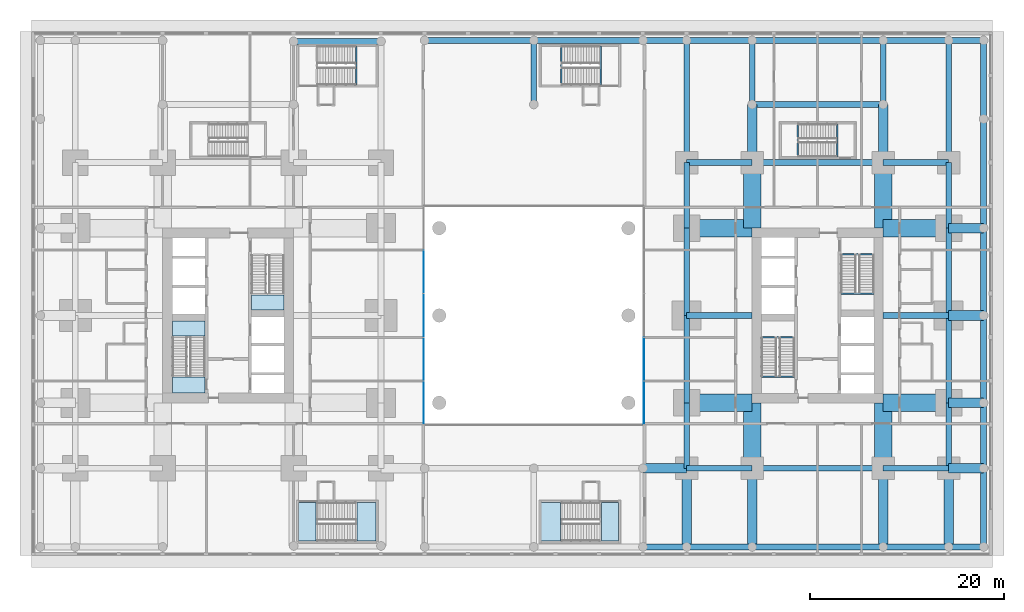
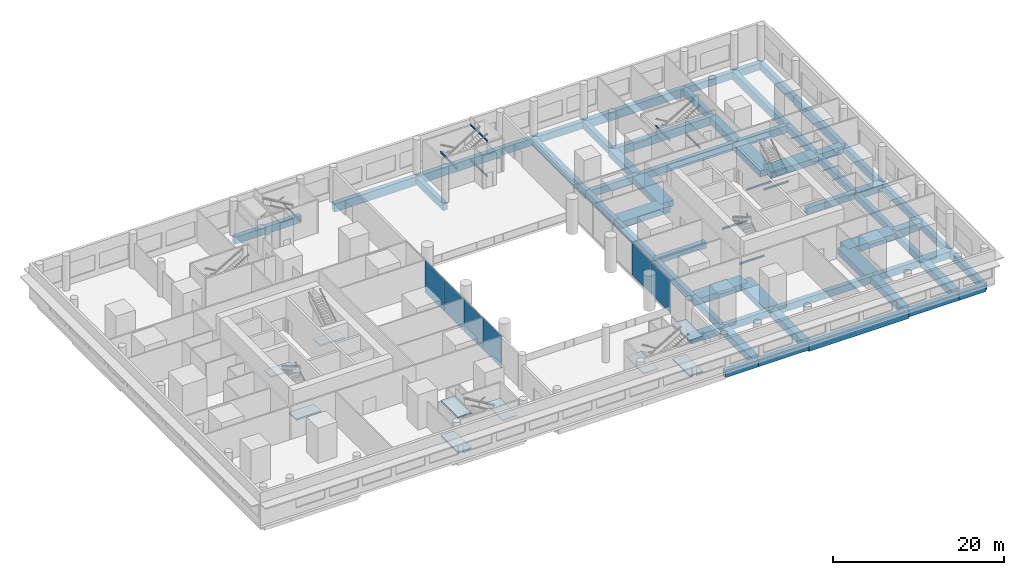
# One storey, part 8 of 22: 70 beams, 9 slabs, 6 plates, 6 elements without a shape of their own.
"""IFC4 building model written with IfcOpenShell, lengths in metres."""

from ifc_helpers import new_model, si_unit, direction, frame, origin, origin_2d, place, context, subcontext, project, spatial, polyline, rectangle, i_section, outline, extrude, material, layer, layer_set, material_profile, profile_set, type_object, element, aggregate, save


model = new_model("IFC4")

# Units and contexts
model_context = context("Model", 3, precision=1e-05, world=origin(), true_north=direction((0.0, 1.0)))
body_context = subcontext(model_context, "Body", "Model", "MODEL_VIEW")
ifc_project = project(units=[si_unit("LENGTHUNIT", "METRE"), si_unit("AREAUNIT", "SQUARE_METRE"), si_unit("VOLUMEUNIT", "CUBIC_METRE"), si_unit("PLANEANGLEUNIT", "RADIAN"), si_unit("MASSUNIT", "GRAM", prefix="KILO")], contexts=[model_context])

# Site, building, storey
site_placement = place(None, origin())
site = spatial("IfcSite", under=ifc_project, at=site_placement, CompositionType="ELEMENT")
building_placement = place(site_placement, origin())
building = spatial("IfcBuilding", under=site, at=building_placement, Name="Namib Vertical Campus", CompositionType="ELEMENT")
storey_placement = place(building_placement, frame((0.0, 0.0, 11.0)))
storey = spatial("IfcBuildingStorey", under=building, at=storey_placement, Name="L02", CompositionType="ELEMENT", Elevation=11.0)

# Beams
ifc_material_1 = material(Name="Concrete C40/50", Category="concrete")
ifc_material_profile_1 = material_profile(ifc_material_1, rectangle(XDim=0.60009765625, YDim=0.89990234375, at=origin_2d()))
ifc_profile_set_1 = profile_set([ifc_material_profile_1], Name="Concrete C40/50")
beam_type_1 = type_object("IfcBeamType", Name="Floor girder RC 600x900", PredefinedType="BEAM", material=ifc_profile_set_1)
for number, where, z_axis, x_axis, name in (
    (1, (67.5, 20.25, -0.75), (1.0, 0.0, 0.0), (0.0, 1.0, 0.0), "Beam B2 L02"),
    (2, (94.5, 20.25, -0.75), (-1.0, 0.0, 0.0), (0.0, -1.0, 0.0), "Beam B2 L02"),
):
    element("IfcBeam", number, at=place(storey_placement, frame(where, z_axis=z_axis, x_axis=x_axis)), inside=storey, type_object=beam_type_1, Name=name, PredefinedType="BEAM", context=body_context, shape_type="SweptSolid", body=[
        extrude(rectangle(XDim=0.60009765625, YDim=0.89990234375, at=origin_2d()), origin(), (0.0, 0.0, 1.0), 6.75),
    ])
ifc_material_2 = material(Name="Steel S355JR", Category="steel")
ifc_material_profile_2 = material_profile(ifc_material_2, i_section(OverallWidth=0.14599609375, OverallDepth=0.25146484375, WebThickness=0.006103515625, FlangeThickness=0.008544921875, FilletRadius=0.007568359375, at=origin_2d()))
ifc_profile_set_2 = profile_set([ifc_material_profile_2], Name="Steel S355JR")
beam_type_2 = type_object("IfcBeamType", Name="Landing trimmer UB 254x146x31", PredefinedType="BEAM", material=ifc_profile_set_2)
for number, where, z_axis, x_axis, name in (
    (3, (75.199951171875, 13.927001953125, -0.125732421875), (1.0, 0.0, 0.0), (0.0, 1.0, 0.0), "Landing trimmer LT1 B-S1 L02 1"),
    (4, (75.199951171875, 17.9931640625, 2.374267578125), (1.0, 0.0, 0.0), (0.0, 1.0, 0.0), "Landing trimmer LT1 B-S1 L02 2"),
    (5, (83.39990234375, 26.572998046875, -0.125732421875), (1.0, 0.0, 0.0), (0.0, 1.0, 0.0), "Landing trimmer LT1 B-S2 L02 1"),
    (6, (83.39990234375, 22.5068359375, 2.374267578125), (1.0, 0.0, 0.0), (0.0, 1.0, 0.0), "Landing trimmer LT1 B-S2 L02 2"),
):
    element("IfcBeam", number, at=place(storey_placement, frame(where, z_axis=z_axis, x_axis=x_axis)), inside=storey, type_object=beam_type_2, Name=name, PredefinedType="BEAM", context=body_context, shape_type="SweptSolid", body=[
        extrude(i_section(OverallWidth=0.14599609375, OverallDepth=0.25146484375, WebThickness=0.006103515625, FlangeThickness=0.008544921875, FilletRadius=0.007568359375, at=origin_2d()), origin(), (0.0, 0.0, 1.0), 3.400146484375),
    ])
for number, where, z_axis, x_axis, name in (
    (7, (33.439208984375, 44.0, 2.374267578125), (0.0, 1.0, 0.0), (-1.0, 0.0, 0.0), "Landing trimmer LT1 P-S1 L02 2"),
    (8, (58.626953125, 44.0, -0.125732421875), (0.0, 1.0, 0.0), (-1.0, 0.0, 0.0), "Landing trimmer LT1 P-S3 L02 1"),
    (9, (54.560791015625, 44.0, 2.374267578125), (0.0, 1.0, 0.0), (-1.0, 0.0, 0.0), "Landing trimmer LT1 P-S3 L02 2"),
    (10, (58.626953125, 44.0, 4.874267578125), (0.0, 1.0, 0.0), (-1.0, 0.0, 0.0), "Landing trimmer LT1 P-S3 L02 3"),
):
    element("IfcBeam", number, at=place(storey_placement, frame(where, z_axis=z_axis, x_axis=x_axis)), inside=storey, type_object=beam_type_2, Name=name, PredefinedType="BEAM", context=body_context, shape_type="SweptSolid", body=[
        extrude(i_section(OverallWidth=0.14599609375, OverallDepth=0.25146484375, WebThickness=0.006103515625, FlangeThickness=0.008544921875, FilletRadius=0.007568359375, at=origin_2d()), origin(), (0.0, 0.0, 1.0), 4.0),
    ])
for number, where, z_axis, x_axis, name in (
    (11, (83.02294921875, 36.60009765625, -0.125732421875), (0.0, 1.0, 0.0), (-1.0, 0.0, 0.0), "Landing trimmer LT1 B-S3 L02 1"),
    (12, (78.95703125, 36.60009765625, 2.374267578125), (0.0, 1.0, 0.0), (-1.0, 0.0, 0.0), "Landing trimmer LT1 B-S3 L02 2"),
):
    element("IfcBeam", number, at=place(storey_placement, frame(where, z_axis=z_axis, x_axis=x_axis)), inside=storey, type_object=beam_type_2, Name=name, PredefinedType="BEAM", context=body_context, shape_type="SweptSolid", body=[
        extrude(i_section(OverallWidth=0.14599609375, OverallDepth=0.25146484375, WebThickness=0.006103515625, FlangeThickness=0.008544921875, FilletRadius=0.007568359375, at=origin_2d()), origin(), (0.0, 0.0, 1.0), 3.39990234375),
    ])
ifc_material_3 = material(Name="Concrete C40/50", Category="concrete")
ifc_material_profile_3 = material_profile(ifc_material_3, rectangle(XDim=0.60009765625, YDim=1.199951171875, at=origin_2d()))
ifc_profile_set_3 = profile_set([ifc_material_profile_3], Name="Concrete C40/50")
beam_type_3 = type_object("IfcBeamType", Name="Long-span podium beam RC 600x1200", PredefinedType="BEAM", material=ifc_profile_set_3)
for number, where, z_axis, x_axis, name in (
    (13, (67.5, 36.0, -0.89990234375), (0.0, 1.0, 0.0), (-1.0, 0.0, 0.0), "Beam PB4 L02"),
    (14, (94.5, 36.0, -0.89990234375), (0.0, 1.0, 0.0), (-1.0, 0.0, 0.0), "Beam PB4 L02"),
):
    element("IfcBeam", number, at=place(storey_placement, frame(where, z_axis=z_axis, x_axis=x_axis)), inside=storey, type_object=beam_type_3, Name=name, PredefinedType="BEAM", context=body_context, shape_type="SweptSolid", body=[
        extrude(rectangle(XDim=0.60009765625, YDim=1.199951171875, at=origin_2d()), origin(), (0.0, 0.0, 1.0), 12.60009765625),
    ])
beam_1_placement = place(storey_placement, frame((98.10009765625, 29.25, -0.89990234375), z_axis=(0.0, 1.0, 0.0), x_axis=(-1.0, 0.0, 0.0)))
element("IfcBeam", 15, at=beam_1_placement, inside=storey, type_object=beam_type_3, Name="Beam PB4 L02", PredefinedType="BEAM", context=body_context, shape_type="SweptSolid", body=[
    extrude(rectangle(XDim=0.60009765625, YDim=1.199951171875, at=origin_2d()), origin(), (0.0, 0.0, 1.0), 11.25),
])
for number, where, z_axis, x_axis, name in (
    (16, (74.25, -3.60009765625, -0.89990234375), (1.0, 0.0, 0.0), (0.0, 1.0, 0.0), "Beam PB4 L02"),
    (17, (74.25, 42.0, -0.89990234375), (1.0, 0.0, 0.0), (0.0, 1.0, 0.0), "Beam PB4 L02"),
):
    element("IfcBeam", number, at=place(storey_placement, frame(where, z_axis=z_axis, x_axis=x_axis)), inside=storey, type_object=beam_type_3, Name=name, PredefinedType="BEAM", context=body_context, shape_type="SweptSolid", body=[
        extrude(rectangle(XDim=0.60009765625, YDim=1.199951171875, at=origin_2d()), origin(), (0.0, 0.0, 1.0), 13.5),
    ])
for number, where, z_axis, x_axis, name in (
    (18, (40.5, 48.60009765625, -0.89990234375), (1.0, 0.0, 0.0), (0.0, 1.0, 0.0), "Beam PB4 L02"),
    (19, (51.75, 48.60009765625, -0.89990234375), (1.0, 0.0, 0.0), (0.0, 1.0, 0.0), "Beam PB4 L02"),
):
    element("IfcBeam", number, at=place(storey_placement, frame(where, z_axis=z_axis, x_axis=x_axis)), inside=storey, type_object=beam_type_3, Name=name, PredefinedType="BEAM", context=body_context, shape_type="SweptSolid", body=[
        extrude(rectangle(XDim=0.60009765625, YDim=1.199951171875, at=origin_2d()), origin(), (0.0, 0.0, 1.0), 11.25),
    ])
beam_2_placement = place(storey_placement, frame((74.25, 48.60009765625, -0.89990234375), z_axis=(1.0, 0.0, 0.0), x_axis=(0.0, 1.0, 0.0)))
element("IfcBeam", 20, at=beam_2_placement, inside=storey, type_object=beam_type_3, Name="Beam PB4 L02", PredefinedType="BEAM", context=body_context, shape_type="SweptSolid", body=[
    extrude(rectangle(XDim=0.60009765625, YDim=1.199951171875, at=origin_2d()), origin(), (0.0, 0.0, 1.0), 13.5),
])
ifc_material_4 = material(Name="Concrete C40/50", Category="concrete")
ifc_material_profile_4 = material_profile(ifc_material_4, rectangle(XDim=1.800048828125, YDim=0.89990234375, at=origin_2d()))
ifc_profile_set_4 = profile_set([ifc_material_profile_4], Name="Concrete C40/50")
beam_type_4 = type_object("IfcBeamType", Name="Outrigger line girder RC 1800x900", PredefinedType="BEAM", material=ifc_profile_set_4)
for number, where, z_axis, x_axis, name in (
    (21, (74.25, 4.5, -0.75), (0.0, 1.0, 0.0), (-1.0, 0.0, 0.0), "Beam B12 L02"),
    (22, (74.25, 36.0, -0.75), (0.0, -1.0, 0.0), (1.0, 0.0, 0.0), "Beam B12 L02"),
    (23, (87.75, 4.5, -0.75), (0.0, 1.0, 0.0), (-1.0, 0.0, 0.0), "Beam B12 L02"),
    (24, (87.75, 36.0, -0.75), (0.0, -1.0, 0.0), (1.0, 0.0, 0.0), "Beam B12 L02"),
    (25, (67.5, 11.25, -0.75), (1.0, 0.0, 0.0), (0.0, 1.0, 0.0), "Beam B12 L02"),
    (26, (94.5, 11.25, -0.75), (-1.0, 0.0, 0.0), (0.0, -1.0, 0.0), "Beam B12 L02"),
    (27, (67.5, 29.25, -0.75), (1.0, 0.0, 0.0), (0.0, 1.0, 0.0), "Beam B12 L02"),
    (28, (94.5, 29.25, -0.75), (-1.0, 0.0, 0.0), (0.0, -1.0, 0.0), "Beam B12 L02"),
):
    element("IfcBeam", number, at=place(storey_placement, frame(where, z_axis=z_axis, x_axis=x_axis)), inside=storey, type_object=beam_type_4, Name=name, PredefinedType="BEAM", context=body_context, shape_type="SweptSolid", body=[
        extrude(rectangle(XDim=1.800048828125, YDim=0.89990234375, at=origin_2d()), origin(), (0.0, 0.0, 1.0), 6.75),
    ])
ifc_material_5 = material(Name="Concrete C40/50", Category="concrete")
ifc_material_profile_5 = material_profile(ifc_material_5, rectangle(XDim=0.60009765625, YDim=1.0, at=origin_2d()))
ifc_profile_set_5 = profile_set([ifc_material_profile_5], Name="Concrete C40/50")
beam_type_5 = type_object("IfcBeamType", Name="Podium beam RC 600x1000", PredefinedType="BEAM", material=ifc_profile_set_5)
for number, where, z_axis, x_axis, name in (
    (29, (51.75, 42.0, -0.800048828125), (0.0, 1.0, 0.0), (-1.0, 0.0, 0.0), "Beam PB1 L02"),
    (30, (74.25, 42.0, -0.800048828125), (0.0, 1.0, 0.0), (-1.0, 0.0, 0.0), "Beam PB1 L02"),
    (31, (87.75, 42.0, -0.800048828125), (0.0, 1.0, 0.0), (-1.0, 0.0, 0.0), "Beam PB1 L02"),
):
    element("IfcBeam", number, at=place(storey_placement, frame(where, z_axis=z_axis, x_axis=x_axis)), inside=storey, type_object=beam_type_5, Name=name, PredefinedType="BEAM", context=body_context, shape_type="SweptSolid", body=[
        extrude(rectangle(XDim=0.60009765625, YDim=1.0, at=origin_2d()), origin(), (0.0, 0.0, 1.0), 6.60009765625),
    ])
beam_3_placement = place(storey_placement, frame((98.10009765625, -3.60009765625, -0.800048828125), z_axis=(0.0, 1.0, 0.0), x_axis=(-1.0, 0.0, 0.0)))
element("IfcBeam", 32, at=beam_3_placement, inside=storey, type_object=beam_type_5, Name="Beam PB1 L02", PredefinedType="BEAM", context=body_context, shape_type="SweptSolid", body=[
    extrude(rectangle(XDim=0.60009765625, YDim=1.0, at=origin_2d()), origin(), (0.0, 0.0, 1.0), 8.10009765625),
])
beam_4_placement = place(storey_placement, frame((98.10009765625, 4.5, -0.800048828125), z_axis=(0.0, 1.0, 0.0), x_axis=(-1.0, 0.0, 0.0)))
element("IfcBeam", 33, at=beam_4_placement, inside=storey, type_object=beam_type_5, Name="Beam PB1 L02", PredefinedType="BEAM", context=body_context, shape_type="SweptSolid", body=[
    extrude(rectangle(XDim=0.60009765625, YDim=1.0, at=origin_2d()), origin(), (0.0, 0.0, 1.0), 6.75),
])
for number, where, z_axis, x_axis, name in (
    (34, (98.10009765625, 11.25, -0.800048828125), (0.0, 1.0, 0.0), (-1.0, 0.0, 0.0), "Beam PB1 L02"),
    (35, (98.10009765625, 20.25, -0.800048828125), (0.0, 1.0, 0.0), (-1.0, 0.0, 0.0), "Beam PB1 L02"),
):
    element("IfcBeam", number, at=place(storey_placement, frame(where, z_axis=z_axis, x_axis=x_axis)), inside=storey, type_object=beam_type_5, Name=name, PredefinedType="BEAM", context=body_context, shape_type="SweptSolid", body=[
        extrude(rectangle(XDim=0.60009765625, YDim=1.0, at=origin_2d()), origin(), (0.0, 0.0, 1.0), 9.0),
    ])
beam_5_placement = place(storey_placement, frame((98.10009765625, 40.5, -0.800048828125), z_axis=(0.0, 1.0, 0.0), x_axis=(-1.0, 0.0, 0.0)))
element("IfcBeam", 36, at=beam_5_placement, inside=storey, type_object=beam_type_5, Name="Beam PB1 L02", PredefinedType="BEAM", context=body_context, shape_type="SweptSolid", body=[
    extrude(rectangle(XDim=0.60009765625, YDim=1.0, at=origin_2d()), origin(), (0.0, 0.0, 1.0), 8.10009765625),
])
beam_6_placement = place(storey_placement, frame((63.0, -3.60009765625, -0.800048828125), z_axis=(1.0, 0.0, 0.0), x_axis=(0.0, 1.0, 0.0)))
element("IfcBeam", 37, at=beam_6_placement, inside=storey, type_object=beam_type_5, Name="Beam PB1 L02", PredefinedType="BEAM", context=body_context, shape_type="SweptSolid", body=[
    extrude(rectangle(XDim=0.60009765625, YDim=1.0, at=origin_2d()), origin(), (0.0, 0.0, 1.0), 4.5),
])
for number, where, z_axis, x_axis, name in (
    (38, (67.5, -3.60009765625, -0.800048828125), (1.0, 0.0, 0.0), (0.0, 1.0, 0.0), "Beam PB1 L02"),
    (39, (87.75, -3.60009765625, -0.800048828125), (1.0, 0.0, 0.0), (0.0, 1.0, 0.0), "Beam PB1 L02"),
):
    element("IfcBeam", number, at=place(storey_placement, frame(where, z_axis=z_axis, x_axis=x_axis)), inside=storey, type_object=beam_type_5, Name=name, PredefinedType="BEAM", context=body_context, shape_type="SweptSolid", body=[
        extrude(rectangle(XDim=0.60009765625, YDim=1.0, at=origin_2d()), origin(), (0.0, 0.0, 1.0), 6.75),
    ])
beam_7_placement = place(storey_placement, frame((94.5, -3.60009765625, -0.800048828125), z_axis=(1.0, 0.0, 0.0), x_axis=(0.0, 1.0, 0.0)))
element("IfcBeam", 40, at=beam_7_placement, inside=storey, type_object=beam_type_5, Name="Beam PB1 L02", PredefinedType="BEAM", context=body_context, shape_type="SweptSolid", body=[
    extrude(rectangle(XDim=0.60009765625, YDim=1.0, at=origin_2d()), origin(), (0.0, 0.0, 1.0), 3.60009765625),
])
beam_8_placement = place(storey_placement, frame((27.0, 48.5, -0.800048828125), z_axis=(1.0, 0.0, 0.0), x_axis=(0.0, 1.0, 0.0)))
element("IfcBeam", 41, at=beam_8_placement, inside=storey, type_object=beam_type_5, Name="Beam PB1 L02", PredefinedType="BEAM", context=body_context, shape_type="SweptSolid", body=[
    extrude(rectangle(XDim=0.60009765625, YDim=1.0, at=origin_2d()), origin(), (0.0, 0.0, 1.0), 9.0),
])
beam_9_placement = place(storey_placement, frame((63.0, 48.60009765625, -0.800048828125), z_axis=(1.0, 0.0, 0.0), x_axis=(0.0, 1.0, 0.0)))
element("IfcBeam", 42, at=beam_9_placement, inside=storey, type_object=beam_type_5, Name="Beam PB1 L02", PredefinedType="BEAM", context=body_context, shape_type="SweptSolid", body=[
    extrude(rectangle(XDim=0.60009765625, YDim=1.0, at=origin_2d()), origin(), (0.0, 0.0, 1.0), 4.5),
])
for number, where, z_axis, x_axis, name in (
    (43, (67.5, 48.60009765625, -0.800048828125), (1.0, 0.0, 0.0), (0.0, 1.0, 0.0), "Beam PB1 L02"),
    (44, (87.75, 48.60009765625, -0.800048828125), (1.0, 0.0, 0.0), (0.0, 1.0, 0.0), "Beam PB1 L02"),
):
    element("IfcBeam", number, at=place(storey_placement, frame(where, z_axis=z_axis, x_axis=x_axis)), inside=storey, type_object=beam_type_5, Name=name, PredefinedType="BEAM", context=body_context, shape_type="SweptSolid", body=[
        extrude(rectangle(XDim=0.60009765625, YDim=1.0, at=origin_2d()), origin(), (0.0, 0.0, 1.0), 6.75),
    ])
beam_10_placement = place(storey_placement, frame((94.5, 48.60009765625, -0.800048828125), z_axis=(1.0, 0.0, 0.0), x_axis=(0.0, 1.0, 0.0)))
element("IfcBeam", 45, at=beam_10_placement, inside=storey, type_object=beam_type_5, Name="Beam PB1 L02", PredefinedType="BEAM", context=body_context, shape_type="SweptSolid", body=[
    extrude(rectangle(XDim=0.60009765625, YDim=1.0, at=origin_2d()), origin(), (0.0, 0.0, 1.0), 3.60009765625),
])
ifc_material_6 = material(Name="Concrete C40/50", Category="concrete")
ifc_material_profile_6 = material_profile(ifc_material_6, rectangle(XDim=0.60009765625, YDim=1.0, at=origin_2d()))
ifc_profile_set_6 = profile_set([ifc_material_profile_6], Name="Concrete C40/50")
beam_type_6 = type_object("IfcBeamType", Name="Podium ring beam RC 600x1000", PredefinedType="BEAM", material=ifc_profile_set_6)
beam_11_placement = place(storey_placement, frame((67.5, 4.5, -0.800048828125), z_axis=(1.0, 0.0, 0.0), x_axis=(0.0, 1.0, 0.0)))
element("IfcBeam", 46, at=beam_11_placement, inside=storey, type_object=beam_type_6, Name="Beam B6 L02", PredefinedType="BEAM", context=body_context, shape_type="SweptSolid", body=[
    extrude(rectangle(XDim=0.60009765625, YDim=1.0, at=origin_2d()), origin(), (0.0, 0.0, 1.0), 6.75),
])
beam_12_placement = place(storey_placement, frame((74.25, 4.5, -0.800048828125), z_axis=(1.0, 0.0, 0.0), x_axis=(0.0, 1.0, 0.0)))
element("IfcBeam", 47, at=beam_12_placement, inside=storey, type_object=beam_type_6, Name="Beam B6 L02", PredefinedType="BEAM", context=body_context, shape_type="SweptSolid", body=[
    extrude(rectangle(XDim=0.60009765625, YDim=1.0, at=origin_2d()), origin(), (0.0, 0.0, 1.0), 13.5),
])
for number, where, z_axis, x_axis, name in (
    (48, (87.75, 4.5, -0.800048828125), (1.0, 0.0, 0.0), (0.0, 1.0, 0.0), "Beam B6 L02"),
    (49, (67.5, 36.0, -0.800048828125), (1.0, 0.0, 0.0), (0.0, 1.0, 0.0), "Beam B6 L02"),
):
    element("IfcBeam", number, at=place(storey_placement, frame(where, z_axis=z_axis, x_axis=x_axis)), inside=storey, type_object=beam_type_6, Name=name, PredefinedType="BEAM", context=body_context, shape_type="SweptSolid", body=[
        extrude(rectangle(XDim=0.60009765625, YDim=1.0, at=origin_2d()), origin(), (0.0, 0.0, 1.0), 6.75),
    ])
beam_13_placement = place(storey_placement, frame((74.25, 36.0, -0.800048828125), z_axis=(1.0, 0.0, 0.0), x_axis=(0.0, 1.0, 0.0)))
element("IfcBeam", 50, at=beam_13_placement, inside=storey, type_object=beam_type_6, Name="Beam B6 L02", PredefinedType="BEAM", context=body_context, shape_type="SweptSolid", body=[
    extrude(rectangle(XDim=0.60009765625, YDim=1.0, at=origin_2d()), origin(), (0.0, 0.0, 1.0), 13.5),
])
for number, where, z_axis, x_axis, name in (
    (51, (87.75, 36.0, -0.800048828125), (1.0, 0.0, 0.0), (0.0, 1.0, 0.0), "Beam B6 L02"),
    (52, (67.5, 4.5, -0.800048828125), (0.0, 1.0, 0.0), (-1.0, 0.0, 0.0), "Beam B6 L02"),
):
    element("IfcBeam", number, at=place(storey_placement, frame(where, z_axis=z_axis, x_axis=x_axis)), inside=storey, type_object=beam_type_6, Name=name, PredefinedType="BEAM", context=body_context, shape_type="SweptSolid", body=[
        extrude(rectangle(XDim=0.60009765625, YDim=1.0, at=origin_2d()), origin(), (0.0, 0.0, 1.0), 6.75),
    ])
for number, where, z_axis, x_axis, name in (
    (53, (67.5, 11.25, -0.800048828125), (0.0, 1.0, 0.0), (-1.0, 0.0, 0.0), "Beam B6 L02"),
    (54, (67.5, 20.25, -0.800048828125), (0.0, 1.0, 0.0), (-1.0, 0.0, 0.0), "Beam B6 L02"),
):
    element("IfcBeam", number, at=place(storey_placement, frame(where, z_axis=z_axis, x_axis=x_axis)), inside=storey, type_object=beam_type_6, Name=name, PredefinedType="BEAM", context=body_context, shape_type="SweptSolid", body=[
        extrude(rectangle(XDim=0.60009765625, YDim=1.0, at=origin_2d()), origin(), (0.0, 0.0, 1.0), 9.0),
    ])
for number, where, z_axis, x_axis, name in (
    (55, (67.5, 29.25, -0.800048828125), (0.0, 1.0, 0.0), (-1.0, 0.0, 0.0), "Beam B6 L02"),
    (56, (94.5, 4.5, -0.800048828125), (0.0, 1.0, 0.0), (-1.0, 0.0, 0.0), "Beam B6 L02"),
):
    element("IfcBeam", number, at=place(storey_placement, frame(where, z_axis=z_axis, x_axis=x_axis)), inside=storey, type_object=beam_type_6, Name=name, PredefinedType="BEAM", context=body_context, shape_type="SweptSolid", body=[
        extrude(rectangle(XDim=0.60009765625, YDim=1.0, at=origin_2d()), origin(), (0.0, 0.0, 1.0), 6.75),
    ])
for number, where, z_axis, x_axis, name in (
    (57, (94.5, 11.25, -0.800048828125), (0.0, 1.0, 0.0), (-1.0, 0.0, 0.0), "Beam B6 L02"),
    (58, (94.5, 20.25, -0.800048828125), (0.0, 1.0, 0.0), (-1.0, 0.0, 0.0), "Beam B6 L02"),
):
    element("IfcBeam", number, at=place(storey_placement, frame(where, z_axis=z_axis, x_axis=x_axis)), inside=storey, type_object=beam_type_6, Name=name, PredefinedType="BEAM", context=body_context, shape_type="SweptSolid", body=[
        extrude(rectangle(XDim=0.60009765625, YDim=1.0, at=origin_2d()), origin(), (0.0, 0.0, 1.0), 9.0),
    ])
beam_14_placement = place(storey_placement, frame((94.5, 29.25, -0.800048828125), z_axis=(0.0, 1.0, 0.0), x_axis=(-1.0, 0.0, 0.0)))
element("IfcBeam", 59, at=beam_14_placement, inside=storey, type_object=beam_type_6, Name="Beam B6 L02", PredefinedType="BEAM", context=body_context, shape_type="SweptSolid", body=[
    extrude(rectangle(XDim=0.60009765625, YDim=1.0, at=origin_2d()), origin(), (0.0, 0.0, 1.0), 6.75),
])
ifc_material_7 = material(Name="Concrete C40/50", Category="concrete")
ifc_material_profile_7 = material_profile(ifc_material_7, rectangle(XDim=1.0, YDim=1.0, at=origin_2d()))
ifc_profile_set_7 = profile_set([ifc_material_profile_7], Name="Concrete C40/50")
beam_type_7 = type_object("IfcBeamType", Name="Podium tie beam RC 1000x1000", PredefinedType="BEAM", material=ifc_profile_set_7)
for number, where, z_axis, x_axis, name in (
    (60, (67.5, -3.60009765625, -0.800048828125), (0.0, 1.0, 0.0), (-1.0, 0.0, 0.0), "Beam PB3 L02"),
    (61, (74.25, -3.60009765625, -0.800048828125), (0.0, 1.0, 0.0), (-1.0, 0.0, 0.0), "Beam PB3 L02"),
):
    element("IfcBeam", number, at=place(storey_placement, frame(where, z_axis=z_axis, x_axis=x_axis)), inside=storey, type_object=beam_type_7, Name=name, PredefinedType="BEAM", context=body_context, shape_type="SweptSolid", body=[
        extrude(rectangle(XDim=1.0, YDim=1.0, at=origin_2d()), origin(), (0.0, 0.0, 1.0), 8.10009765625),
    ])
beam_15_placement = place(storey_placement, frame((74.25, 36.0, -0.800048828125), z_axis=(0.0, 1.0, 0.0), x_axis=(-1.0, 0.0, 0.0)))
element("IfcBeam", 62, at=beam_15_placement, inside=storey, type_object=beam_type_7, Name="Beam PB3 L02", PredefinedType="BEAM", context=body_context, shape_type="SweptSolid", body=[
    extrude(rectangle(XDim=1.0, YDim=1.0, at=origin_2d()), origin(), (0.0, 0.0, 1.0), 6.0),
])
beam_16_placement = place(storey_placement, frame((87.75, -3.60009765625, -0.800048828125), z_axis=(0.0, 1.0, 0.0), x_axis=(-1.0, 0.0, 0.0)))
element("IfcBeam", 63, at=beam_16_placement, inside=storey, type_object=beam_type_7, Name="Beam PB3 L02", PredefinedType="BEAM", context=body_context, shape_type="SweptSolid", body=[
    extrude(rectangle(XDim=1.0, YDim=1.0, at=origin_2d()), origin(), (0.0, 0.0, 1.0), 8.10009765625),
])
beam_17_placement = place(storey_placement, frame((87.75, 36.0, -0.800048828125), z_axis=(0.0, 1.0, 0.0), x_axis=(-1.0, 0.0, 0.0)))
element("IfcBeam", 64, at=beam_17_placement, inside=storey, type_object=beam_type_7, Name="Beam PB3 L02", PredefinedType="BEAM", context=body_context, shape_type="SweptSolid", body=[
    extrude(rectangle(XDim=1.0, YDim=1.0, at=origin_2d()), origin(), (0.0, 0.0, 1.0), 6.0),
])
beam_18_placement = place(storey_placement, frame((94.5, -3.60009765625, -0.800048828125), z_axis=(0.0, 1.0, 0.0), x_axis=(-1.0, 0.0, 0.0)))
element("IfcBeam", 65, at=beam_18_placement, inside=storey, type_object=beam_type_7, Name="Beam PB3 L02", PredefinedType="BEAM", context=body_context, shape_type="SweptSolid", body=[
    extrude(rectangle(XDim=1.0, YDim=1.0, at=origin_2d()), origin(), (0.0, 0.0, 1.0), 8.10009765625),
])
beam_19_placement = place(storey_placement, frame((63.0, 4.5, -0.800048828125), z_axis=(1.0, 0.0, 0.0), x_axis=(0.0, 1.0, 0.0)))
element("IfcBeam", 66, at=beam_19_placement, inside=storey, type_object=beam_type_7, Name="Beam PB3 L02", PredefinedType="BEAM", context=body_context, shape_type="SweptSolid", body=[
    extrude(rectangle(XDim=1.0, YDim=1.0, at=origin_2d()), origin(), (0.0, 0.0, 1.0), 4.5),
])
for number, where, z_axis, x_axis, name in (
    (67, (94.5, 4.5, -0.800048828125), (1.0, 0.0, 0.0), (0.0, 1.0, 0.0), "Beam PB3 L02"),
    (68, (94.5, 11.25, -0.800048828125), (1.0, 0.0, 0.0), (0.0, 1.0, 0.0), "Beam PB3 L02"),
    (69, (94.5, 20.25, -0.800048828125), (1.0, 0.0, 0.0), (0.0, 1.0, 0.0), "Beam PB3 L02"),
    (70, (94.5, 29.25, -0.800048828125), (1.0, 0.0, 0.0), (0.0, 1.0, 0.0), "Beam PB3 L02"),
):
    element("IfcBeam", number, at=place(storey_placement, frame(where, z_axis=z_axis, x_axis=x_axis)), inside=storey, type_object=beam_type_7, Name=name, PredefinedType="BEAM", context=body_context, shape_type="SweptSolid", body=[
        extrude(rectangle(XDim=1.0, YDim=1.0, at=origin_2d()), origin(), (0.0, 0.0, 1.0), 3.60009765625),
    ])

# Curtain wall, plates
ifc_material_8 = material(Name="Black aluminium curtain wall", Category="aluminium")
ifc_layer_1 = layer(ifc_material_8, 0.199951171875)
ifc_layer_set_1 = layer_set([ifc_layer_1], Name="Atrium screen curtain wall CW-AT")
curtain_wall_type = type_object("IfcCurtainWallType", Name="Atrium screen curtain wall CW-AT", PredefinedType="USERDEFINED", material=ifc_layer_set_1)
curtain_wall_1_placement = place(storey_placement, origin())
curtain_wall_1 = element("IfcCurtainWall", 71, at=curtain_wall_1_placement, inside=storey, type_object=curtain_wall_type, Name="Curtain wall CW-AT atrium A L02 1", ObjectType="CURTAIN WALL", PredefinedType="USERDEFINED")
ifc_material_9 = material(Name="Dark tinted glass", Category="glass")
ifc_layer_2 = layer(ifc_material_9, 0.028076171875)
ifc_layer_set_2 = layer_set([ifc_layer_2], Name="Dark solar glass panel 28")
plate_type = type_object("IfcPlateType", Name="Dark solar glass panel 28", PredefinedType="CURTAIN_PANEL", material=ifc_layer_set_2)
plate_1_placement = place(storey_placement, frame((40.39990234375, 11.264892578125, 0.06005859375), z_axis=(0.0, 0.0, 1.0), x_axis=(0.0, 1.0, 0.0)))
plate_1 = element("IfcPlate", 72, at=plate_1_placement, type_object=plate_type, Name="CW-AT panel 1.1", PredefinedType="CURTAIN_PANEL", context=body_context, shape_type="SweptSolid", body=[
    extrude(rectangle(XDim=4.409912109375, YDim=0.028076171875, at=origin_2d()), origin(), (0.0, 0.0, 1.0), 4.580078125),
])
plate_2_placement = place(storey_placement, frame((40.39990234375, 15.75, 0.06005859375), z_axis=(0.0, 0.0, 1.0), x_axis=(0.0, 1.0, 0.0)))
plate_2 = element("IfcPlate", 73, at=plate_2_placement, type_object=plate_type, Name="CW-AT panel 2.1", PredefinedType="CURTAIN_PANEL", context=body_context, shape_type="SweptSolid", body=[
    extrude(rectangle(XDim=4.43994140625, YDim=0.028076171875, at=origin_2d()), origin(), (0.0, 0.0, 1.0), 4.580078125),
])
plate_3_placement = place(storey_placement, frame((40.39990234375, 20.25, 0.06005859375), z_axis=(0.0, 0.0, 1.0), x_axis=(0.0, 1.0, 0.0)))
plate_3 = element("IfcPlate", 74, at=plate_3_placement, type_object=plate_type, Name="CW-AT panel 3.1", PredefinedType="CURTAIN_PANEL", context=body_context, shape_type="SweptSolid", body=[
    extrude(rectangle(XDim=4.43994140625, YDim=0.028076171875, at=origin_2d()), origin(), (0.0, 0.0, 1.0), 4.580078125),
])
plate_4_placement = place(storey_placement, frame((40.39990234375, 24.75, 0.06005859375), z_axis=(0.0, 0.0, 1.0), x_axis=(0.0, 1.0, 0.0)))
plate_4 = element("IfcPlate", 75, at=plate_4_placement, type_object=plate_type, Name="CW-AT panel 4.1", PredefinedType="CURTAIN_PANEL", context=body_context, shape_type="SweptSolid", body=[
    extrude(rectangle(XDim=4.43994140625, YDim=0.028076171875, at=origin_2d()), origin(), (0.0, 0.0, 1.0), 4.580078125),
])
aggregate(curtain_wall_1, [plate_1, plate_2, plate_3, plate_4])

curtain_wall_2_placement = place(storey_placement, origin())
curtain_wall_2 = element("IfcCurtainWall", 76, at=curtain_wall_2_placement, inside=storey, type_object=curtain_wall_type, Name="Curtain wall CW-AT atrium B L02 1", ObjectType="CURTAIN WALL", PredefinedType="USERDEFINED")
plate_5_placement = place(storey_placement, frame((63.10009765625, 11.264892578125, 0.06005859375), z_axis=(0.0, 0.0, 1.0), x_axis=(0.0, 1.0, 0.0)))
plate_5 = element("IfcPlate", 77, at=plate_5_placement, type_object=plate_type, Name="CW-AT panel 1.1", PredefinedType="CURTAIN_PANEL", context=body_context, shape_type="SweptSolid", body=[
    extrude(rectangle(XDim=4.409912109375, YDim=0.028076171875, at=origin_2d()), origin(), (0.0, 0.0, 1.0), 4.580078125),
])
plate_6_placement = place(storey_placement, frame((63.10009765625, 15.75, 0.06005859375), z_axis=(0.0, 0.0, 1.0), x_axis=(0.0, 1.0, 0.0)))
plate_6 = element("IfcPlate", 78, at=plate_6_placement, type_object=plate_type, Name="CW-AT panel 2.1", PredefinedType="CURTAIN_PANEL", context=body_context, shape_type="SweptSolid", body=[
    extrude(rectangle(XDim=4.43994140625, YDim=0.028076171875, at=origin_2d()), origin(), (0.0, 0.0, 1.0), 4.580078125),
])
aggregate(curtain_wall_2, [plate_5, plate_6])

# Stair, slabs
ifc_material_10 = material(Name="Concrete C40/50 precast", Category="concrete")
stair_type_1 = type_object("IfcStairType", Name="Exit stair 5000 rise 30 risers 3350 wide", PredefinedType="HALF_TURN_STAIR", material=ifc_material_10)
stair_1_placement = place(storey_placement, origin())
stair_1 = element("IfcStair", 79, at=stair_1_placement, inside=storey, type_object=stair_type_1, Name="Exit stair A-S1 L02", PredefinedType="HALF_TURN_STAIR")
ifc_material_11 = material(Name="Concrete C40/50", Category="concrete")
ifc_layer_3 = layer(ifc_material_11, 0.199951171875)
ifc_layer_set_3 = layer_set([ifc_layer_3], Name="Concrete C40/50")
slab_type = type_object("IfcSlabType", Name="Stair landing 200", PredefinedType="LANDING", material=ifc_layer_set_3)
slab_1_placement = place(storey_placement, frame((0.0, 0.0, -0.199951171875)))
slab_1 = element("IfcSlab", 80, at=slab_1_placement, type_object=slab_type, Name="A-S1 landing 1", PredefinedType="LANDING", context=body_context, shape_type="SweptSolid", body=[
    extrude(outline(polyline([(14.5, 12.25), (17.85009765625, 12.25), (17.85009765625, 13.90380859375), (14.5, 13.90380859375), (14.5, 12.25)])), origin(), (0.0, 0.0, 1.0), 0.199951171875),
])
slab_2_placement = place(storey_placement, frame((0.0, 0.0, 2.300048828125)))
slab_2 = element("IfcSlab", 81, at=slab_2_placement, type_object=slab_type, Name="A-S1 landing 2", PredefinedType="LANDING", context=body_context, shape_type="SweptSolid", body=[
    extrude(outline(polyline([(14.5, 18.1162109375), (17.85009765625, 18.1162109375), (17.85009765625, 19.699951171875), (14.5, 19.699951171875), (14.5, 18.1162109375)])), origin(), (0.0, 0.0, 1.0), 0.199951171875),
])
aggregate(stair_1, [slab_1, slab_2])

# Stair, slab
stair_2_placement = place(storey_placement, origin())
stair_2 = element("IfcStair", 82, at=stair_2_placement, inside=storey, type_object=stair_type_1, Name="Exit stair A-S2 L02", PredefinedType="HALF_TURN_STAIR")
slab_3_placement = place(storey_placement, frame((0.0, 0.0, 2.300048828125)))
slab_3 = element("IfcSlab", 83, at=slab_3_placement, type_object=slab_type, Name="A-S2 landing 2", PredefinedType="LANDING", context=body_context, shape_type="SweptSolid", body=[
    extrude(outline(polyline([(22.64990234375, 20.800048828125), (26.0, 20.800048828125), (26.0, 22.3837890625), (22.64990234375, 22.3837890625), (22.64990234375, 20.800048828125)])), origin(), (0.0, 0.0, 1.0), 0.199951171875),
])
aggregate(stair_2, [slab_3])

# Stair, slabs
ifc_material_12 = material(Name="Concrete C40/50 precast", Category="concrete")
stair_type_2 = type_object("IfcStairType", Name="Podium exit stair 5000 rise 30 risers 1800 flights", PredefinedType="HALF_TURN_STAIR", material=ifc_material_12)
stair_3_placement = place(storey_placement, origin())
stair_3 = element("IfcStair", 84, at=stair_3_placement, inside=storey, type_object=stair_type_2, Name="Exit stair P-S2 L02", PredefinedType="HALF_TURN_STAIR")
slab_4_placement = place(storey_placement, frame((0.0, 0.0, -0.199951171875)))
slab_4 = element("IfcSlab", 85, at=slab_4_placement, type_object=slab_type, Name="P-S2 landing 1", PredefinedType="LANDING", context=body_context, shape_type="SweptSolid", body=[
    extrude(outline(polyline([(27.5, -3.0), (27.5, 1.0), (29.300048828125, 1.0), (29.300048828125, -3.0), (27.5, -3.0)])), origin(), (0.0, 0.0, 1.0), 0.199951171875),
])
slab_5_placement = place(storey_placement, frame((0.0, 0.0, 2.300048828125)))
slab_5 = element("IfcSlab", 86, at=slab_5_placement, type_object=slab_type, Name="P-S2 landing 2", PredefinedType="LANDING", context=body_context, shape_type="SweptSolid", body=[
    extrude(outline(polyline([(33.51220703125, -3.0), (33.51220703125, 1.0), (35.5, 1.0), (35.5, -3.0), (33.51220703125, -3.0)])), origin(), (0.0, 0.0, 1.0), 0.199951171875),
])
slab_6_placement = place(storey_placement, frame((0.0, 0.0, 4.800048828125)))
slab_6 = element("IfcSlab", 87, at=slab_6_placement, type_object=slab_type, Name="P-S2 landing 3", PredefinedType="LANDING", context=body_context, shape_type="SweptSolid", body=[
    extrude(outline(polyline([(27.5, -3.0), (27.5, 1.0), (29.300048828125, 1.0), (29.300048828125, -3.0), (27.5, -3.0)])), origin(), (0.0, 0.0, 1.0), 0.199951171875),
])
aggregate(stair_3, [slab_4, slab_5, slab_6])

stair_4_placement = place(storey_placement, origin())
stair_4 = element("IfcStair", 88, at=stair_4_placement, inside=storey, type_object=stair_type_2, Name="Exit stair P-S4 L02", PredefinedType="HALF_TURN_STAIR")
slab_7_placement = place(storey_placement, frame((0.0, 0.0, -0.199951171875)))
slab_7 = element("IfcSlab", 89, at=slab_7_placement, type_object=slab_type, Name="P-S4 landing 1", PredefinedType="LANDING", context=body_context, shape_type="SweptSolid", body=[
    extrude(outline(polyline([(58.699951171875, -3.0), (58.699951171875, 1.0), (60.5, 1.0), (60.5, -3.0), (58.699951171875, -3.0)])), origin(), (0.0, 0.0, 1.0), 0.199951171875),
])
slab_8_placement = place(storey_placement, frame((0.0, 0.0, 2.300048828125)))
slab_8 = element("IfcSlab", 90, at=slab_8_placement, type_object=slab_type, Name="P-S4 landing 2", PredefinedType="LANDING", context=body_context, shape_type="SweptSolid", body=[
    extrude(outline(polyline([(52.5, -3.0), (52.5, 1.0), (54.48779296875, 1.0), (54.48779296875, -3.0), (52.5, -3.0)])), origin(), (0.0, 0.0, 1.0), 0.199951171875),
])
slab_9_placement = place(storey_placement, frame((0.0, 0.0, 4.800048828125)))
slab_9 = element("IfcSlab", 91, at=slab_9_placement, type_object=slab_type, Name="P-S4 landing 3", PredefinedType="LANDING", context=body_context, shape_type="SweptSolid", body=[
    extrude(outline(polyline([(58.699951171875, -3.0), (58.699951171875, 1.0), (60.5, 1.0), (60.5, -3.0), (58.699951171875, -3.0)])), origin(), (0.0, 0.0, 1.0), 0.199951171875),
])
aggregate(stair_4, [slab_7, slab_8, slab_9])

save(model, "model.ifc")
